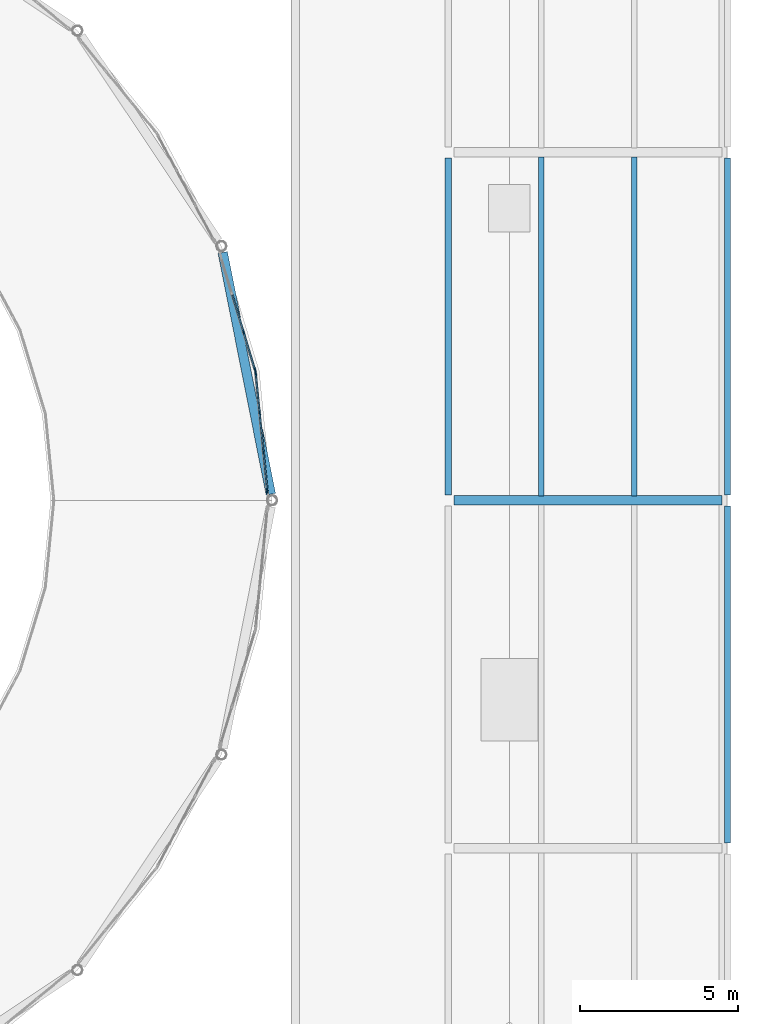
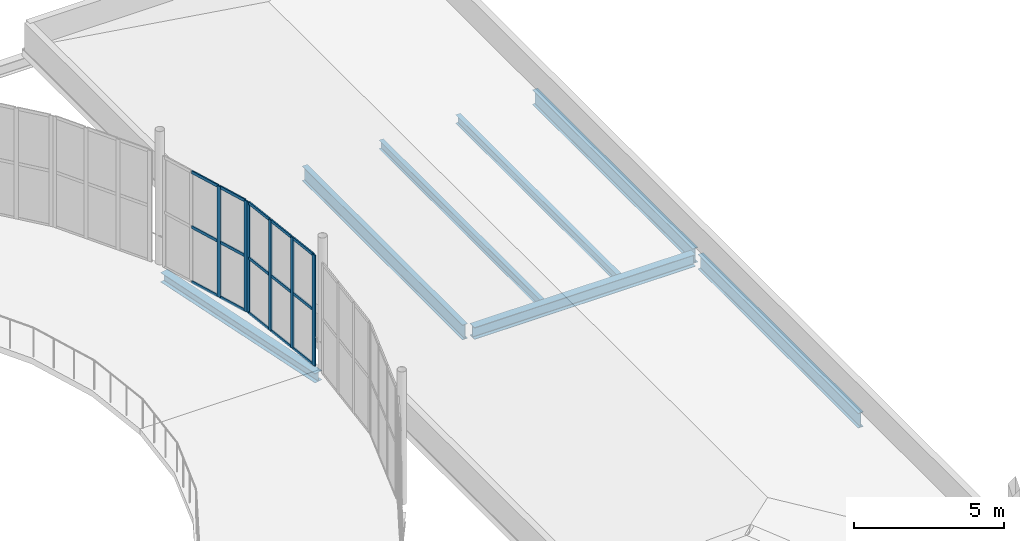
# One storey, part 65 of 112: 21 members, 7 beams, 2 elements without a shape of their own.
"""IFC4 building model written with IfcOpenShell, lengths in metres."""

from ifc_helpers import new_model, si_unit, direction, frame, origin, origin_2d, place, context, subcontext, project, spatial, rectangle, i_section, extrude, material, layer, layer_set, material_profile, profile_set, type_object, element, aggregate, save


model = new_model("IFC4")

# Units and contexts
model_context = context("Model", 3, precision=1e-05, world=origin(), true_north=direction((0.0, 1.0)))
body_context = subcontext(model_context, "Body", "Model", "MODEL_VIEW")
ifc_project = project(units=[si_unit("LENGTHUNIT", "METRE"), si_unit("AREAUNIT", "SQUARE_METRE"), si_unit("VOLUMEUNIT", "CUBIC_METRE"), si_unit("PLANEANGLEUNIT", "RADIAN"), si_unit("MASSUNIT", "GRAM", prefix="KILO")], contexts=[model_context])

# Site, building, storey
site_placement = place(None, origin())
site = spatial("IfcSite", under=ifc_project, at=site_placement, CompositionType="ELEMENT")
building_placement = place(site_placement, origin())
building = spatial("IfcBuilding", under=site, at=building_placement, Name="Yeouljin Market Hall", CompositionType="ELEMENT")
storey_placement = place(building_placement, frame((0.0, 0.0, 6.0)))
storey = spatial("IfcBuildingStorey", under=building, at=storey_placement, Name="L01", CompositionType="ELEMENT", Elevation=6.0)

# Beams
ifc_material_1 = material(Name="Steel SM355", Category="steel")
ifc_material_profile_1 = material_profile(ifc_material_1, i_section(OverallWidth=0.300048828125, OverallDepth=0.389892578125, WebThickness=0.010009765625, FlangeThickness=0.01611328125, FilletRadius=0.01806640625, at=origin_2d()), Name="H-390x300x10x16")
ifc_profile_set_1 = profile_set([ifc_material_profile_1], Name="Steel SM355")
beam_type_1 = type_object("IfcBeamType", Name="Beam_H-390x300x10x16", PredefinedType="BEAM", material=ifc_profile_set_1)
beam_1_placement = place(storey_placement, frame((161.96044921875, 57.19921875, -0.43994140625), z_axis=(-0.195091123781, 0.980785120922, 0.0), x_axis=(-0.980785120922, -0.195091123781, 0.0)))
element("IfcBeam", 1, at=beam_1_placement, inside=storey, type_object=beam_type_1, Name="Apse ring beam L01 254", PredefinedType="BEAM", context=body_context, shape_type="SweptSolid", body=[
    extrude(i_section(OverallWidth=0.300048828125, OverallDepth=0.389892578125, WebThickness=0.010009765625, FlangeThickness=0.01611328125, FilletRadius=0.01806640625, at=origin_2d()), origin(), (0.0, 0.0, 1.0), 7.78759765625),
])
ifc_material_2 = material(Name="Steel SM355", Category="steel")
ifc_material_profile_2 = material_profile(ifc_material_2, i_section(OverallWidth=0.199951171875, OverallDepth=0.60009765625, WebThickness=0.010986328125, FlangeThickness=0.01708984375, FilletRadius=0.02197265625, at=origin_2d()), Name="H-600x200x11x17")
ifc_profile_set_2 = profile_set([ifc_material_profile_2], Name="Steel SM355")
beam_type_2 = type_object("IfcBeamType", Name="Beam_H-600x200x11x17", PredefinedType="BEAM", material=ifc_profile_set_2)
for number, where, z_axis, x_axis, name in (
    (2, (167.570068359375, 57.175048828125, -0.56494140625), (0.0, 1.0, 0.0), (-1.0, 0.0, 0.0), "Primary beam BM-L01-Y232"),
    (3, (176.39990234375, 46.175048828125, -0.56494140625), (0.0, 1.0, 0.0), (-1.0, 0.0, 0.0), "Primary beam BM-L01-Y239"),
    (4, (176.39990234375, 57.175048828125, -0.56494140625), (0.0, 1.0, 0.0), (-1.0, 0.0, 0.0), "Primary beam BM-L01-Y240"),
):
    element("IfcBeam", number, at=place(storey_placement, frame(where, z_axis=z_axis, x_axis=x_axis)), inside=storey, type_object=beam_type_2, Name=name, PredefinedType="BEAM", context=body_context, shape_type="SweptSolid", body=[
        extrude(i_section(OverallWidth=0.199951171875, OverallDepth=0.60009765625, WebThickness=0.010986328125, FlangeThickness=0.01708984375, FilletRadius=0.02197265625, at=origin_2d()), origin(), (0.0, 0.0, 1.0), 10.64990234375),
    ])

# Curtain wall, members
ifc_material_3 = material(Name="Thermally Broken Aluminium", Category="aluminium")
ifc_layer = layer(ifc_material_3, 0.179931640625)
ifc_layer_set = layer_set([ifc_layer], Name="Thermally Broken Aluminium")
curtain_wall_type = type_object("IfcCurtainWallType", Name="CW_ApseCurved_System", PredefinedType="USERDEFINED", material=ifc_layer_set)
curtain_wall_1_placement = place(storey_placement, origin())
curtain_wall_1 = element("IfcCurtainWall", 5, at=curtain_wall_1_placement, inside=storey, type_object=curtain_wall_type, Name="Curtain wall CW-AP-EL01-09", ObjectType="CURTAIN WALL", PredefinedType="USERDEFINED")
ifc_material_4 = material(Name="Thermally Broken Aluminium", Category="aluminium")
ifc_material_profile_3 = material_profile(ifc_material_4, rectangle(XDim=0.048095703125, YDim=0.14990234375, at=origin_2d()), Name="CW-MULL-48x150")
ifc_profile_set_3 = profile_set([ifc_material_profile_3], Name="Thermally Broken Aluminium")
member_type_1 = type_object("IfcMemberType", Name="CWMullion_48x150", PredefinedType="MULLION", material=ifc_profile_set_3)
member_1_placement = place(storey_placement, frame((161.485107421875, 61.009765625, 0.0), z_axis=(0.0, 0.0, 1.0), x_axis=(0.995183051807, 0.09803414403, 0.0)))
member_1 = element("IfcMember", 6, at=member_1_placement, type_object=member_type_1, Name="CW-03 mullion 1", PredefinedType="MULLION", context=body_context, shape_type="SweptSolid", body=[
    extrude(rectangle(XDim=0.048095703125, YDim=0.14990234375, at=origin_2d()), origin(), (0.0, 0.0, 1.0), 4.5),
])
member_2_placement = place(storey_placement, frame((161.60595703125, 59.781982421875, 0.0), z_axis=(0.0, 0.0, 1.0), x_axis=(0.995183051807, 0.09803414403, 0.0)))
member_2 = element("IfcMember", 7, at=member_2_placement, type_object=member_type_1, Name="CW-03 mullion 2", PredefinedType="MULLION", context=body_context, shape_type="SweptSolid", body=[
    extrude(rectangle(XDim=0.048095703125, YDim=0.14990234375, at=origin_2d()), origin(), (0.0, 0.0, 1.0), 4.5),
])
member_3_placement = place(storey_placement, frame((161.729248046875, 58.5302734375, 0.0), z_axis=(0.0, 0.0, 1.0), x_axis=(0.995183051807, 0.09803414403, 0.0)))
member_3 = element("IfcMember", 8, at=member_3_placement, type_object=member_type_1, Name="CW-03 mullion 3", PredefinedType="MULLION", context=body_context, shape_type="SweptSolid", body=[
    extrude(rectangle(XDim=0.048095703125, YDim=0.14990234375, at=origin_2d()), origin(), (0.0, 0.0, 1.0), 4.5),
])
member_4_placement = place(storey_placement, frame((161.850341796875, 57.302490234375, 0.0), z_axis=(0.0, 0.0, 1.0), x_axis=(0.995183051807, 0.09803414403, 0.0)))
member_4 = element("IfcMember", 9, at=member_4_placement, type_object=member_type_1, Name="CW-03 mullion 4", PredefinedType="MULLION", context=body_context, shape_type="SweptSolid", body=[
    extrude(rectangle(XDim=0.048095703125, YDim=0.14990234375, at=origin_2d()), origin(), (0.0, 0.0, 1.0), 4.5),
])

curtain_wall_2_placement = place(storey_placement, origin())
curtain_wall_2 = element("IfcCurtainWall", 10, at=curtain_wall_2_placement, inside=storey, type_object=curtain_wall_type, Name="Curtain wall CW-AP-EL01-10", ObjectType="CURTAIN WALL", PredefinedType="USERDEFINED")
member_5_placement = place(storey_placement, frame((161.10205078125, 62.3154296875, 0.0), z_axis=(0.0, 0.0, 1.0), x_axis=(0.95693988447, 0.290286164863, 0.0)))
member_5 = element("IfcMember", 11, at=member_5_placement, type_object=member_type_1, Name="CW-03 mullion 3", PredefinedType="MULLION", context=body_context, shape_type="SweptSolid", body=[
    extrude(rectangle(XDim=0.048095703125, YDim=0.14990234375, at=origin_2d()), origin(), (0.0, 0.0, 1.0), 4.5),
])
member_6_placement = place(storey_placement, frame((161.460205078125, 61.134765625, 0.0), z_axis=(0.0, 0.0, 1.0), x_axis=(0.95693988447, 0.290286164863, 0.0)))
member_6 = element("IfcMember", 12, at=member_6_placement, type_object=member_type_1, Name="CW-03 mullion 4", PredefinedType="MULLION", context=body_context, shape_type="SweptSolid", body=[
    extrude(rectangle(XDim=0.048095703125, YDim=0.14990234375, at=origin_2d()), origin(), (0.0, 0.0, 1.0), 4.5),
])

# Member
ifc_material_5 = material(Name="Thermally Broken Aluminium", Category="aluminium")
ifc_material_profile_4 = material_profile(ifc_material_5, rectangle(XDim=0.048095703125, YDim=0.1201171875, at=origin_2d()), Name="CW-TRAN-48x120")
ifc_profile_set_4 = profile_set([ifc_material_profile_4], Name="Thermally Broken Aluminium")
member_type_2 = type_object("IfcMemberType", Name="CWTransom_48x120", PredefinedType="USERDEFINED", material=ifc_profile_set_4)
member_7_placement = place(storey_placement, frame((161.4873046875, 60.98583984375, 0.02392578125), z_axis=(0.098219244733, -0.995164800405, 0.0), x_axis=(0.995164800405, 0.098219244733, 0.0)))
member_7 = element("IfcMember", 13, at=member_7_placement, type_object=member_type_2, Name="CW-03 transom 1.1", ObjectType="TRANSOM", PredefinedType="USERDEFINED", context=body_context, shape_type="SweptSolid", body=[
    extrude(rectangle(XDim=0.048095703125, YDim=0.1201171875, at=origin_2d()), origin(), (0.0, 0.0, 1.0), 1.185546875),
])

member_8_placement = place(storey_placement, frame((161.4873046875, 60.98583984375, 2.25), z_axis=(0.098219244733, -0.995164800405, 0.0), x_axis=(0.995164800405, 0.098219244733, 0.0)))
member_8 = element("IfcMember", 14, at=member_8_placement, type_object=member_type_2, Name="CW-03 transom 1.2", ObjectType="TRANSOM", PredefinedType="USERDEFINED", context=body_context, shape_type="SweptSolid", body=[
    extrude(rectangle(XDim=0.048095703125, YDim=0.1201171875, at=origin_2d()), origin(), (0.0, 0.0, 1.0), 1.185546875),
])

member_9_placement = place(storey_placement, frame((161.4873046875, 60.98583984375, 4.47607421875), z_axis=(0.098219244733, -0.995164800405, 0.0), x_axis=(0.995164800405, 0.098219244733, 0.0)))
member_9 = element("IfcMember", 15, at=member_9_placement, type_object=member_type_2, Name="CW-03 transom 1.3", ObjectType="TRANSOM", PredefinedType="USERDEFINED", context=body_context, shape_type="SweptSolid", body=[
    extrude(rectangle(XDim=0.048095703125, YDim=0.1201171875, at=origin_2d()), origin(), (0.0, 0.0, 1.0), 1.185546875),
])

member_10_placement = place(storey_placement, frame((161.6083984375, 59.758056640625, 0.02392578125), z_axis=(0.098084878045, -0.995178052762, 0.0), x_axis=(0.995178052762, 0.098084878045, 0.0)))
member_10 = element("IfcMember", 16, at=member_10_placement, type_object=member_type_2, Name="CW-03 transom 2.1", ObjectType="TRANSOM", PredefinedType="USERDEFINED", context=body_context, shape_type="SweptSolid", body=[
    extrude(rectangle(XDim=0.048095703125, YDim=0.1201171875, at=origin_2d()), origin(), (0.0, 0.0, 1.0), 1.209716796875),
])

member_11_placement = place(storey_placement, frame((161.6083984375, 59.758056640625, 2.25), z_axis=(0.098084878045, -0.995178052762, 0.0), x_axis=(0.995178052762, 0.098084878045, 0.0)))
member_11 = element("IfcMember", 17, at=member_11_placement, type_object=member_type_2, Name="CW-03 transom 2.2", ObjectType="TRANSOM", PredefinedType="USERDEFINED", context=body_context, shape_type="SweptSolid", body=[
    extrude(rectangle(XDim=0.048095703125, YDim=0.1201171875, at=origin_2d()), origin(), (0.0, 0.0, 1.0), 1.209716796875),
])

member_12_placement = place(storey_placement, frame((161.6083984375, 59.758056640625, 4.47607421875), z_axis=(0.098084878045, -0.995178052762, 0.0), x_axis=(0.995178052762, 0.098084878045, 0.0)))
member_12 = element("IfcMember", 18, at=member_12_placement, type_object=member_type_2, Name="CW-03 transom 2.3", ObjectType="TRANSOM", PredefinedType="USERDEFINED", context=body_context, shape_type="SweptSolid", body=[
    extrude(rectangle(XDim=0.048095703125, YDim=0.1201171875, at=origin_2d()), origin(), (0.0, 0.0, 1.0), 1.209716796875),
])

member_13_placement = place(storey_placement, frame((161.731689453125, 58.506591796875, 0.02392578125), z_axis=(0.097995233106, -0.995186884102, 0.0), x_axis=(0.995186884102, 0.097995233106, 0.0)))
member_13 = element("IfcMember", 19, at=member_13_placement, type_object=member_type_2, Name="CW-03 transom 3.1", ObjectType="TRANSOM", PredefinedType="USERDEFINED", context=body_context, shape_type="SweptSolid", body=[
    extrude(rectangle(XDim=0.048095703125, YDim=0.1201171875, at=origin_2d()), origin(), (0.0, 0.0, 1.0), 1.185791015625),
])

member_14_placement = place(storey_placement, frame((161.731689453125, 58.506591796875, 2.25), z_axis=(0.097995233106, -0.995186884102, 0.0), x_axis=(0.995186884102, 0.097995233106, 0.0)))
member_14 = element("IfcMember", 20, at=member_14_placement, type_object=member_type_2, Name="CW-03 transom 3.2", ObjectType="TRANSOM", PredefinedType="USERDEFINED", context=body_context, shape_type="SweptSolid", body=[
    extrude(rectangle(XDim=0.048095703125, YDim=0.1201171875, at=origin_2d()), origin(), (0.0, 0.0, 1.0), 1.185791015625),
])

member_15_placement = place(storey_placement, frame((161.731689453125, 58.506591796875, 4.47607421875), z_axis=(0.097995233106, -0.995186884102, 0.0), x_axis=(0.995186884102, 0.097995233106, 0.0)))
member_15 = element("IfcMember", 21, at=member_15_placement, type_object=member_type_2, Name="CW-03 transom 3.3", ObjectType="TRANSOM", PredefinedType="USERDEFINED", context=body_context, shape_type="SweptSolid", body=[
    extrude(rectangle(XDim=0.048095703125, YDim=0.1201171875, at=origin_2d()), origin(), (0.0, 0.0, 1.0), 1.185791015625),
])

aggregate(curtain_wall_1, [member_1, member_2, member_3, member_4, member_7, member_8, member_9, member_10, member_11, member_12, member_13, member_14, member_15])

member_16_placement = place(storey_placement, frame((160.743896484375, 63.495849609375, 0.02392578125), z_axis=(0.29043870262, -0.956893599111, 0.0), x_axis=(0.956893599111, 0.29043870262, 0.0)))
member_16 = element("IfcMember", 22, at=member_16_placement, type_object=member_type_2, Name="CW-03 transom 2.1", ObjectType="TRANSOM", PredefinedType="USERDEFINED", context=body_context, shape_type="SweptSolid", body=[
    extrude(rectangle(XDim=0.048095703125, YDim=0.1201171875, at=origin_2d()), origin(), (0.0, 0.0, 1.0), 1.209716796875),
])

member_17_placement = place(storey_placement, frame((160.743896484375, 63.495849609375, 2.25), z_axis=(0.29043870262, -0.956893599111, 0.0), x_axis=(0.956893599111, 0.29043870262, 0.0)))
member_17 = element("IfcMember", 23, at=member_17_placement, type_object=member_type_2, Name="CW-03 transom 2.2", ObjectType="TRANSOM", PredefinedType="USERDEFINED", context=body_context, shape_type="SweptSolid", body=[
    extrude(rectangle(XDim=0.048095703125, YDim=0.1201171875, at=origin_2d()), origin(), (0.0, 0.0, 1.0), 1.209716796875),
])

member_18_placement = place(storey_placement, frame((160.743896484375, 63.495849609375, 4.47607421875), z_axis=(0.29043870262, -0.956893599111, 0.0), x_axis=(0.956893599111, 0.29043870262, 0.0)))
member_18 = element("IfcMember", 24, at=member_18_placement, type_object=member_type_2, Name="CW-03 transom 2.3", ObjectType="TRANSOM", PredefinedType="USERDEFINED", context=body_context, shape_type="SweptSolid", body=[
    extrude(rectangle(XDim=0.048095703125, YDim=0.1201171875, at=origin_2d()), origin(), (0.0, 0.0, 1.0), 1.209716796875),
])

member_19_placement = place(storey_placement, frame((161.109130859375, 62.29248046875, 0.02392578125), z_axis=(0.290293088565, -0.956937784149, 0.0), x_axis=(0.956937784149, 0.290293088565, 0.0)))
member_19 = element("IfcMember", 25, at=member_19_placement, type_object=member_type_2, Name="CW-03 transom 3.1", ObjectType="TRANSOM", PredefinedType="USERDEFINED", context=body_context, shape_type="SweptSolid", body=[
    extrude(rectangle(XDim=0.048095703125, YDim=0.1201171875, at=origin_2d()), origin(), (0.0, 0.0, 1.0), 1.185791015625),
])

member_20_placement = place(storey_placement, frame((161.109130859375, 62.29248046875, 2.25), z_axis=(0.290293088565, -0.956937784149, 0.0), x_axis=(0.956937784149, 0.290293088565, 0.0)))
member_20 = element("IfcMember", 26, at=member_20_placement, type_object=member_type_2, Name="CW-03 transom 3.2", ObjectType="TRANSOM", PredefinedType="USERDEFINED", context=body_context, shape_type="SweptSolid", body=[
    extrude(rectangle(XDim=0.048095703125, YDim=0.1201171875, at=origin_2d()), origin(), (0.0, 0.0, 1.0), 1.185791015625),
])

member_21_placement = place(storey_placement, frame((161.109130859375, 62.29248046875, 4.47607421875), z_axis=(0.290293088565, -0.956937784149, 0.0), x_axis=(0.956937784149, 0.290293088565, 0.0)))
member_21 = element("IfcMember", 27, at=member_21_placement, type_object=member_type_2, Name="CW-03 transom 3.3", ObjectType="TRANSOM", PredefinedType="USERDEFINED", context=body_context, shape_type="SweptSolid", body=[
    extrude(rectangle(XDim=0.048095703125, YDim=0.1201171875, at=origin_2d()), origin(), (0.0, 0.0, 1.0), 1.185791015625),
])

aggregate(curtain_wall_2, [member_5, member_6, member_16, member_17, member_18, member_19, member_20, member_21])

# Beams
ifc_material_6 = material(Name="Steel SM355", Category="steel")
ifc_material_profile_5 = material_profile(ifc_material_6, i_section(OverallWidth=0.300048828125, OverallDepth=0.488037109375, WebThickness=0.010986328125, FlangeThickness=0.01806640625, FilletRadius=0.02197265625, at=origin_2d()), Name="H-488x300x11x18")
ifc_profile_set_5 = profile_set([ifc_material_profile_5], Name="Steel SM355")
beam_type_3 = type_object("IfcBeamType", Name="Girder_H-488x300x11x18", PredefinedType="USERDEFINED", material=ifc_profile_set_5)
beam_2_placement = place(storey_placement, frame((167.7451171875, 57.0, -0.509033203125), z_axis=(1.0, 0.0, 0.0), x_axis=(0.0, 1.0, 0.0)))
element("IfcBeam", 28, at=beam_2_placement, inside=storey, type_object=beam_type_3, Name="Primary girder GRD-L01-X070", ObjectType="GIRDER", PredefinedType="USERDEFINED", context=body_context, shape_type="SweptSolid", body=[
    extrude(i_section(OverallWidth=0.300048828125, OverallDepth=0.488037109375, WebThickness=0.010986328125, FlangeThickness=0.01806640625, FilletRadius=0.02197265625, at=origin_2d()), origin(), (0.0, 0.0, 1.0), 8.47998046875),
])
ifc_material_7 = material(Name="Steel SM355", Category="steel")
ifc_material_profile_6 = material_profile(ifc_material_7, i_section(OverallWidth=0.175048828125, OverallDepth=0.35009765625, WebThickness=0.007080078125, FlangeThickness=0.010986328125, FilletRadius=0.013916015625, at=origin_2d()), Name="H-350x175x7x11")
ifc_profile_set_6 = profile_set([ifc_material_profile_6], Name="Steel SM355")
beam_type_4 = type_object("IfcBeamType", Name="Joist_H-350x175x7x11", PredefinedType="JOIST", material=ifc_profile_set_6)
for number, where, z_axis, x_axis, name in (
    (29, (170.51318359375, 57.14697265625, -0.43994140625), (0.0, 1.0, 0.0), (-1.0, 0.0, 0.0), "Secondary floor joist L01-129"),
    (30, (173.456787109375, 57.14697265625, -0.43994140625), (0.0, 1.0, 0.0), (-1.0, 0.0, 0.0), "Secondary floor joist L01-130"),
):
    element("IfcBeam", number, at=place(storey_placement, frame(where, z_axis=z_axis, x_axis=x_axis)), inside=storey, type_object=beam_type_4, Name=name, PredefinedType="JOIST", context=body_context, shape_type="SweptSolid", body=[
        extrude(i_section(OverallWidth=0.175048828125, OverallDepth=0.35009765625, WebThickness=0.007080078125, FlangeThickness=0.010986328125, FilletRadius=0.013916015625, at=origin_2d()), origin(), (0.0, 0.0, 1.0), 10.7060546875),
    ])

save(model, "model.ifc")
